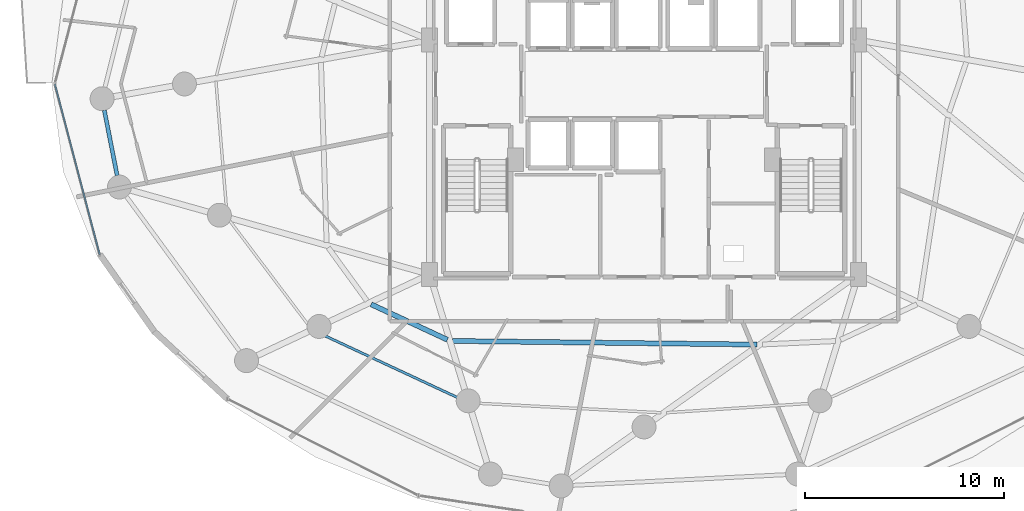
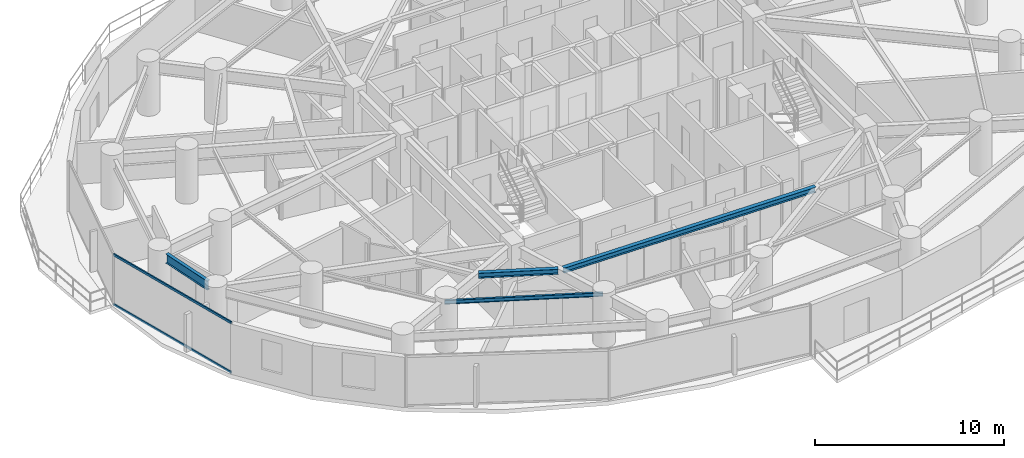
# One storey, part 7 of 35: 4 beams, 2 members, 1 element without a shape of its own.
"""IFC4 building model written with IfcOpenShell, lengths in metres."""

from ifc_helpers import new_model, si_unit, direction, frame, origin, origin_2d, place, context, subcontext, project, spatial, hollow_rectangle, i_section, extrude, material, material_profile, profile_set, type_object, element, aggregate, save


model = new_model("IFC4")

# Units and contexts
model_context = context("Model", 3, precision=1e-05, world=origin(), true_north=direction((0.0, 1.0)))
body_context = subcontext(model_context, "Body", "Model", "MODEL_VIEW")
ifc_project = project(units=[si_unit("LENGTHUNIT", "METRE"), si_unit("AREAUNIT", "SQUARE_METRE"), si_unit("VOLUMEUNIT", "CUBIC_METRE"), si_unit("PLANEANGLEUNIT", "RADIAN"), si_unit("MASSUNIT", "GRAM", prefix="KILO")], contexts=[model_context])

# Site, building, storey
site_placement = place(None, origin())
site = spatial("IfcSite", under=ifc_project, at=site_placement, CompositionType="ELEMENT")
building_placement = place(site_placement, origin())
building = spatial("IfcBuilding", under=site, at=building_placement, Name="Vorneva Point Tower", CompositionType="ELEMENT")
storey_placement = place(building_placement, frame((0.0, 0.0, 48.5)))
storey = spatial("IfcBuildingStorey", under=building, at=storey_placement, Name="L12", CompositionType="ELEMENT", Elevation=48.5)

# Beams
ifc_material_1 = material(Name="Steel S355", Category="steel")
ifc_material_profile_1 = material_profile(ifc_material_1, i_section(OverallWidth=0.1240234375, OverallDepth=0.248046875, WebThickness=0.0048828125, FlangeThickness=0.008056640625, at=origin_2d()), Name="25B1")
ifc_profile_set_1 = profile_set([ifc_material_profile_1], Name="Steel S355")
beam_type_1 = type_object("IfcBeamType", Name="BM-JST-25B1", PredefinedType="JOIST", material=ifc_profile_set_1)
beam_1_placement = place(storey_placement, frame((21.4736328125, 13.61328125, 3.115966796875), z_axis=(0.906471160493, -0.422267729283, 0.0), x_axis=(0.422267729283, 0.906471160493, 0.0)))
element("IfcBeam", 1, at=beam_1_placement, inside=storey, type_object=beam_type_1, Name="L12 Secondary Floor Beam 1.11", PredefinedType="JOIST", context=body_context, shape_type="SweptSolid", body=[
    extrude(i_section(OverallWidth=0.1240234375, OverallDepth=0.248046875, WebThickness=0.0048828125, FlangeThickness=0.008056640625, at=origin_2d()), origin(), (0.0, 0.0, 1.0), 8.396240234375),
])
ifc_material_profile_2 = material_profile(ifc_material_1, i_section(OverallWidth=0.2490234375, OverallDepth=0.333984375, WebThickness=0.008056640625, FlangeThickness=0.010986328125, at=origin_2d()), Name="35Sh1")
ifc_profile_set_2 = profile_set([ifc_material_profile_2], Name="Steel S355")
beam_type_2 = type_object("IfcBeamType", Name="BM-SEC-35Sh1", PredefinedType="BEAM", material=ifc_profile_set_2)
beam_2_placement = place(storey_placement, frame((24.312255859375, 14.949951171875, 3.072998046875), z_axis=(0.906844001893, -0.421466435474, 0.0), x_axis=(0.421466435474, 0.906844001893, 0.0)))
element("IfcBeam", 2, at=beam_2_placement, inside=storey, type_object=beam_type_2, Name="L12 Secondary Floor Beam 2.11", PredefinedType="BEAM", context=body_context, shape_type="SweptSolid", body=[
    extrude(i_section(OverallWidth=0.2490234375, OverallDepth=0.333984375, WebThickness=0.008056640625, FlangeThickness=0.010986328125, at=origin_2d()), origin(), (0.0, 0.0, 1.0), 4.22119140625),
])
beam_3_placement = place(storey_placement, frame((28.4033203125, 13.111083984375, 3.072998046875), z_axis=(0.999930123965, -0.011821471494, 0.0), x_axis=(0.011821471494, 0.999930123965, 0.0)))
element("IfcBeam", 3, at=beam_3_placement, inside=storey, type_object=beam_type_2, Name="L12 Secondary Floor Beam 2.12", PredefinedType="BEAM", context=body_context, shape_type="SweptSolid", body=[
    extrude(i_section(OverallWidth=0.2490234375, OverallDepth=0.333984375, WebThickness=0.008056640625, FlangeThickness=0.010986328125, at=origin_2d()), origin(), (0.0, 0.0, 1.0), 15.261962890625),
])
ifc_material_profile_3 = material_profile(ifc_material_1, i_section(OverallWidth=0.198974609375, OverallDepth=0.595947265625, WebThickness=0.010009765625, FlangeThickness=0.014892578125, at=origin_2d()), Name="60B1")
ifc_profile_set_3 = profile_set([ifc_material_profile_3], Name="Steel S355")
beam_type_3 = type_object("IfcBeamType", Name="BM-SPN-60B1", PredefinedType="SPANDREL", material=ifc_profile_set_3)
beam_4_placement = place(storey_placement, frame((10.9306640625, 24.68701171875, 2.94189453125), z_axis=(0.192691361054, -0.981259414923, 0.0), x_axis=(0.981259414923, 0.192691361054, 0.0)))
element("IfcBeam", 4, at=beam_4_placement, inside=storey, type_object=beam_type_3, Name="L12 Perimeter Spandrel Ring Beam 09", PredefinedType="SPANDREL", context=body_context, shape_type="SweptSolid", body=[
    extrude(i_section(OverallWidth=0.198974609375, OverallDepth=0.595947265625, WebThickness=0.010009765625, FlangeThickness=0.014892578125, at=origin_2d()), origin(), (0.0, 0.0, 1.0), 3.34619140625),
])

# Curtain wall, members
ifc_material_2 = material(Name="Pale anodised aluminium", Category="aluminium")
curtain_wall_type = type_object("IfcCurtainWallType", Name="CW-HTL-SYS", PredefinedType="NOTDEFINED", material=ifc_material_2)
curtain_wall_placement = place(storey_placement, origin())
curtain_wall = element("IfcCurtainWall", 5, at=curtain_wall_placement, inside=storey, type_object=curtain_wall_type, Name="L12 Unitised Curtain Wall CW-L12-R03", PredefinedType="NOTDEFINED")
ifc_material_profile_4 = material_profile(ifc_material_2, hollow_rectangle(XDim=0.074951171875, YDim=0.14990234375, WallThickness=0.00390625, at=origin_2d()), Name="AL-TRN 150x75x4")
ifc_profile_set_4 = profile_set([ifc_material_profile_4], Name="Pale anodised aluminium")
member_type = type_object("IfcMemberType", Name="CW-TRN-150", PredefinedType="USERDEFINED", material=ifc_profile_set_4)
member_1_placement = place(storey_placement, frame((8.449951171875, 26.0, 0.02001953125), z_axis=(0.254358772746, -0.967109928978, 0.0), x_axis=(0.967109928978, 0.254358772746, 0.0)))
member_1 = element("IfcMember", 6, at=member_1_placement, type_object=member_type, Name="CW-L12-R03 Transom 02.1", ObjectType="TRANSOM", PredefinedType="USERDEFINED", context=body_context, shape_type="SweptSolid", body=[
    extrude(hollow_rectangle(XDim=0.074951171875, YDim=0.14990234375, WallThickness=0.00390625, at=origin_2d()), origin(), (0.0, 0.0, 1.0), 8.84375),
])
member_2_placement = place(storey_placement, frame((8.449951171875, 26.0, 3.219970703125), z_axis=(0.254358772746, -0.967109928978, 0.0), x_axis=(0.967109928978, 0.254358772746, 0.0)))
member_2 = element("IfcMember", 7, at=member_2_placement, type_object=member_type, Name="CW-L12-R03 Transom 02.2", ObjectType="TRANSOM", PredefinedType="USERDEFINED", context=body_context, shape_type="SweptSolid", body=[
    extrude(hollow_rectangle(XDim=0.074951171875, YDim=0.14990234375, WallThickness=0.00390625, at=origin_2d()), origin(), (0.0, 0.0, 1.0), 8.84375),
])
aggregate(curtain_wall, [member_1, member_2])

save(model, "model.ifc")
